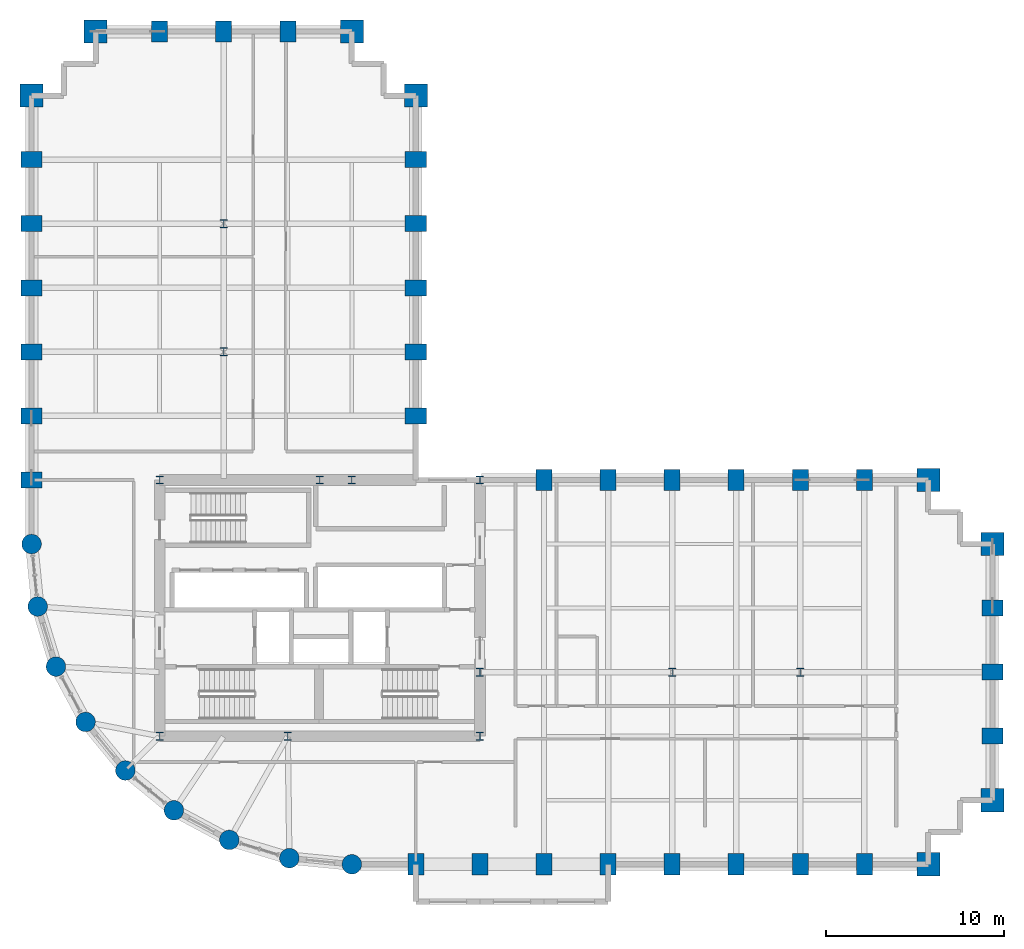
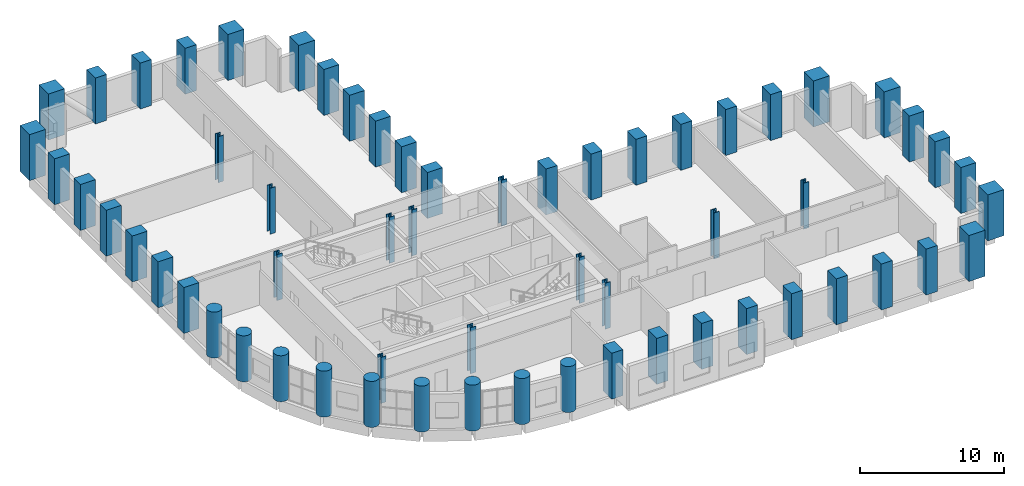
# One storey, part 1 of 12: 60 columns.
"""IFC4 building model written with IfcOpenShell, lengths in metres."""

import ifcopenshell
import ifcopenshell.guid

model = None  # the IFC model being written
_history = None  # IfcOwnerHistory: only IFC2X3 demands one
_inside = {}  # id of a spatial element -> (the spatial element, [elements in it])
_under = {}  # id of a project, library or spatial element -> (it, [spatial elements below it])
_declared = {}  # id of a project -> (the project, [libraries it declares])
_typed = {}  # id of a type object -> (the type object, [elements of that type])
_made_of = {}  # id of a material, layer set ... -> (it, [elements and type objects made of it])


def new_model(schema):
    """Start an empty IFC model of exactly this schema.

    Asked for "IFC4X3", IfcOpenShell would pick the latest addendum, in which some entities
    have other attributes; the version numbers below select the first issue.
    IFC2X3 requires an IfcOwnerHistory on every rooted entity: one is made here for all.
    """
    global model, _history
    if schema == "IFC4X3":
        model = ifcopenshell.file(schema_version=(4, 3, 0, 0))
    else:
        model = ifcopenshell.file(schema=schema)
    _inside.clear()
    _under.clear()
    _declared.clear()
    _typed.clear()
    _made_of.clear()
    _history = None
    if model.schema == "IFC2X3":
        org = make("IfcOrganization", Name="unknown")
        user = make(
            "IfcPersonAndOrganization",
            ThePerson=make("IfcPerson", FamilyName="unknown"),
            TheOrganization=org,
        )
        app = make(
            "IfcApplication",
            ApplicationDeveloper=org,
            Version="unknown",
            ApplicationFullName="unknown",
            ApplicationIdentifier="unknown",
        )
        _history = make(
            "IfcOwnerHistory",
            OwningUser=user,
            OwningApplication=app,
            ChangeAction="ADDED",
            CreationDate=0,
        )
    return model


def make(cls, **values):
    """One entity of the class cls with the attributes given. An attribute that is None is left unset."""
    return model.create_entity(
        cls, **{name: value for name, value in values.items() if value is not None}
    )


def rooted(cls, **values):
    """An entity with a GlobalId (a new one), such as an element, a storey or a relation."""
    return make(cls, GlobalId=ifcopenshell.guid.new(), OwnerHistory=_history, **values)


def si_unit(unit_type, name, prefix=None):
    """IfcSIUnit, for example si_unit("LENGTHUNIT", "METRE", prefix="MILLI")."""
    return make("IfcSIUnit", UnitType=unit_type, Prefix=prefix, Name=name)


def assignment(units):
    """IfcUnitAssignment: the units of a project."""
    return None if units is None else make("IfcUnitAssignment", Units=units)


def point(xyz):
    """IfcCartesianPoint."""
    return None if xyz is None else make("IfcCartesianPoint", Coordinates=xyz)


def direction(xyz):
    """IfcDirection."""
    return None if xyz is None else make("IfcDirection", DirectionRatios=xyz)


def frame(location, z_axis=None, x_axis=None):
    """IfcAxis2Placement3D, a coordinate frame: its origin and axes. An axis left out is left unset."""
    return make(
        "IfcAxis2Placement3D",
        Location=point(location),
        Axis=direction(z_axis),
        RefDirection=direction(x_axis),
    )


def frame_2d(location, x_axis=None):
    """IfcAxis2Placement2D, a coordinate frame in the plane: its origin and x axis."""
    return make(
        "IfcAxis2Placement2D", Location=point(location), RefDirection=direction(x_axis)
    )


def origin():
    """The frame at (0, 0, 0) with its axes left unset."""
    return frame((0.0, 0.0, 0.0))


def origin_2d():
    """The frame at (0, 0) in the plane with its x axis left unset."""
    return frame_2d((0.0, 0.0))


def place(relative_to, where):
    """IfcLocalPlacement: puts the frame where relative to a parent placement (None: the world)."""
    return make(
        "IfcLocalPlacement", PlacementRelTo=relative_to, RelativePlacement=where
    )


def context(
    kind, dimensions, precision=None, world=None, true_north=None, identifier=None
):
    """IfcGeometricRepresentationContext, for example the 3D "Model" context."""
    return make(
        "IfcGeometricRepresentationContext",
        ContextIdentifier=identifier,
        ContextType=kind,
        CoordinateSpaceDimension=dimensions,
        Precision=precision,
        WorldCoordinateSystem=world,
        TrueNorth=true_north,
    )


def subcontext(parent, identifier, kind, view, scale=None):
    """IfcGeometricRepresentationSubContext, for example "Body" below "Model"."""
    return make(
        "IfcGeometricRepresentationSubContext",
        ContextIdentifier=identifier,
        ContextType=kind,
        ParentContext=parent,
        TargetScale=scale,
        TargetView=view,
    )


def project(units=None, contexts=None):
    """IfcProject with its units and contexts."""
    return rooted(
        "IfcProject",
        Name="project",
        RepresentationContexts=contexts,
        UnitsInContext=assignment(units),
    )


def spatial(cls, under=None, at=None, **own):
    """A site, building, storey or space (cls), placed at a placement, below another one or the project."""
    s = rooted(cls, ObjectPlacement=at, **own)
    if under is not None:
        _under.setdefault(under.id(), (under, []))[1].append(s)
    return s


def profile(cls, at=None, kind="AREA", **sizes):
    """A parametric profile (cls). Its sizes go by their IFC names, for example OverallWidth=200.0."""
    return make(cls, ProfileType=kind, Position=at, **sizes)


def rectangle(**sizes):
    """IfcRectangleProfileDef."""
    return profile("IfcRectangleProfileDef", **sizes)


def circle(**sizes):
    """IfcCircleProfileDef."""
    return profile("IfcCircleProfileDef", **sizes)


def i_section(**sizes):
    """IfcIShapeProfileDef."""
    return profile("IfcIShapeProfileDef", **sizes)


def extrude(swept, where, along, depth):
    """IfcExtrudedAreaSolid: the profile swept, set in the frame where, extruded along a direction by depth."""
    return make(
        "IfcExtrudedAreaSolid",
        SweptArea=swept,
        Position=where,
        ExtrudedDirection=direction(along),
        Depth=depth,
    )


def shape(context_of_items, identifier, shape_type, items):
    """IfcShapeRepresentation: the items that make up one representation, for example the "Body"."""
    return make(
        "IfcShapeRepresentation",
        ContextOfItems=context_of_items,
        RepresentationIdentifier=identifier,
        RepresentationType=shape_type,
        Items=items,
    )


def material(Name=None, Category=None):
    """IfcMaterial."""
    return make("IfcMaterial", Name=Name, Category=Category)


def material_profile(
    of_material, cross_section, Name=None, Category=None, Priority=None
):
    """IfcMaterialProfile: a cross section and its material."""
    return make(
        "IfcMaterialProfile",
        Name=Name,
        Material=of_material,
        Profile=cross_section,
        Priority=Priority,
        Category=Category,
    )


def profile_set(profiles, Name=None, composite=None):
    """IfcMaterialProfileSet."""
    return make(
        "IfcMaterialProfileSet",
        Name=Name,
        MaterialProfiles=profiles,
        CompositeProfile=composite,
    )


def made_of(thing, what):
    """Note that an element or type object is made of a material, layer set ...; save() writes the relation."""
    if what is not None:
        _made_of.setdefault(what.id(), (what, []))[1].append(thing)
    return thing


def type_object(cls, material=None, **own):
    """A type object (cls), such as IfcWallType, which elements share."""
    return made_of(rooted(cls, **own), material)


def element(
    cls,
    number,
    at=None,
    inside=None,
    cuts=None,
    type_object=None,
    material=None,
    context=None,
    identifier="Body",
    shape_type=None,
    held_by="IfcProductDefinitionShape",
    body=None,
    shapes=None,
    **own,
):
    """One element of the class cls, such as IfcWall. Its Tag is "e" and its number.

    at: its placement. inside: the storey or other place that contains it. cuts: it is an
    opening in that element (IfcRelVoidsElement). A single representation is given by context,
    identifier, shape_type and body (its items); several are given by shapes. held_by: the class
    of the entity that holds the representations. save() writes the other relations.
    """
    e = rooted(cls, Tag="e%d" % number, ObjectPlacement=at, **own)
    if body is not None:
        shapes = [shape(context, identifier, shape_type, body)]
    if shapes is not None:
        e.Representation = make(held_by, Representations=shapes)
    if inside is not None:
        _inside.setdefault(inside.id(), (inside, []))[1].append(e)
    if cuts is not None:
        rooted(
            "IfcRelVoidsElement", RelatingBuildingElement=cuts, RelatedOpeningElement=e
        )
    if type_object is not None:
        _typed.setdefault(type_object.id(), (type_object, []))[1].append(e)
    return made_of(e, material)


def aggregate(whole, parts):
    """IfcRelAggregates: a whole, such as a stair, and the parts it consists of."""
    return rooted("IfcRelAggregates", RelatingObject=whole, RelatedObjects=parts)


def save(model, path):
    """Write the relations noted so far, then the file.

    IfcRelAggregates (storeys below a building ...), IfcRelContainedInSpatialStructure (elements
    in a storey), IfcRelDefinesByType, IfcRelAssociatesMaterial and IfcRelDeclares: one each for
    every whole, place, type object, material and project.
    """
    for whole, parts in _under.values():
        aggregate(whole, parts)
    for where, things in _inside.values():
        rooted(
            "IfcRelContainedInSpatialStructure",
            RelatedElements=things,
            RelatingStructure=where,
        )
    for kind, things in _typed.values():
        rooted("IfcRelDefinesByType", RelatedObjects=things, RelatingType=kind)
    for what, things in _made_of.values():
        rooted("IfcRelAssociatesMaterial", RelatedObjects=things, RelatingMaterial=what)
    for by, libraries in _declared.values():
        rooted("IfcRelDeclares", RelatingContext=by, RelatedDefinitions=libraries)
    model.write(path)


model = new_model("IFC4")

# Units and contexts
model_context = context("Model", 3, precision=1e-05, world=origin(), true_north=direction((0.0, 1.0)))
body_context = subcontext(model_context, "Body", "Model", "MODEL_VIEW")
ifc_project = project(units=[si_unit("LENGTHUNIT", "METRE"), si_unit("AREAUNIT", "SQUARE_METRE"), si_unit("VOLUMEUNIT", "CUBIC_METRE"), si_unit("PLANEANGLEUNIT", "RADIAN"), si_unit("MASSUNIT", "GRAM", prefix="KILO")], contexts=[model_context])

# Site, building, storey
site_placement = place(None, origin())
site = spatial("IfcSite", under=ifc_project, at=site_placement, CompositionType="ELEMENT")
building_placement = place(site_placement, origin())
building = spatial("IfcBuilding", under=site, at=building_placement, Name="Solnavia Interchange Tower", CompositionType="ELEMENT")
storey_placement = place(building_placement, frame((0.0, 0.0, 27.89990234375)))
storey = spatial("IfcBuildingStorey", under=building, at=storey_placement, Name="L06", CompositionType="ELEMENT", Elevation=27.89990234375)

# Columns
ifc_material_1 = material(Name="Concrete C60/75", Category="concrete")
ifc_material_profile_1 = material_profile(ifc_material_1, rectangle(XDim=0.89990234375, YDim=1.199951171875, at=origin_2d()), Name="RC 1200x900")
ifc_profile_set_1 = profile_set([ifc_material_profile_1], Name="Concrete C60/75")
column_type_1 = type_object("IfcColumnType", Name="Col-RC-1200x900", PredefinedType="COLUMN", material=ifc_profile_set_1)
for number, where, z_axis, x_axis, name in (
    (1, (7.199951171875, 25.199951171875, 0.0), (0.0, 0.0, 1.0), (0.0, 1.0, 0.0), "COL-L06-02 Tower perim y column"),
    (2, (7.199951171875, 28.800048828125, 0.0), (0.0, 0.0, 1.0), (0.0, 1.0, 0.0), "COL-L06-03 Tower perim y column"),
    (3, (7.199951171875, 32.39990234375, 0.0), (0.0, 0.0, 1.0), (0.0, 1.0, 0.0), "COL-L06-04 Tower perim y column"),
    (4, (7.199951171875, 36.0, 0.0), (0.0, 0.0, 1.0), (0.0, 1.0, 0.0), "COL-L06-05 Tower perim y column"),
    (5, (7.199951171875, 39.60009765625, 0.0), (0.0, 0.0, 1.0), (0.0, 1.0, 0.0), "COL-L06-06 Tower perim y column"),
    (6, (7.199951171875, 43.199951171875, 0.0), (0.0, 0.0, 1.0), (0.0, 1.0, 0.0), "COL-L06-07 Tower perim y column"),
    (7, (14.39990234375, 50.39990234375, 0.0), (0.0, 0.0, 1.0), (1.0, 0.0, 0.0), "COL-L06-16 Tower perim x column"),
    (8, (18.0, 50.39990234375, 0.0), (0.0, 0.0, 1.0), (1.0, 0.0, 0.0), "COL-L06-20 Tower perim x column"),
    (9, (21.60009765625, 50.39990234375, 0.0), (0.0, 0.0, 1.0), (1.0, 0.0, 0.0), "COL-L06-23 Tower perim x column"),
    (10, (28.800048828125, 3.60009765625, 0.0), (0.0, 0.0, 1.0), (1.0, 0.0, 0.0), "COL-L06-29 Tower perim x column"),
    (11, (28.800048828125, 28.800048828125, 0.0), (0.0, 0.0, 1.0), (0.0, 1.0, 0.0), "COL-L06-30 Tower perim y column"),
    (12, (28.800048828125, 32.39990234375, 0.0), (0.0, 0.0, 1.0), (0.0, 1.0, 0.0), "COL-L06-31 Tower perim y column"),
    (13, (28.800048828125, 36.0, 0.0), (0.0, 0.0, 1.0), (0.0, 1.0, 0.0), "COL-L06-32 Tower perim y column"),
    (14, (28.800048828125, 39.60009765625, 0.0), (0.0, 0.0, 1.0), (0.0, 1.0, 0.0), "COL-L06-33 Tower perim y column"),
    (15, (28.800048828125, 43.199951171875, 0.0), (0.0, 0.0, 1.0), (0.0, 1.0, 0.0), "COL-L06-34 Tower perim y column"),
    (16, (32.39990234375, 3.60009765625, 0.0), (0.0, 0.0, 1.0), (1.0, 0.0, 0.0), "COL-L06-36 Tower perim x column"),
    (17, (36.0, 3.60009765625, 0.0), (0.0, 0.0, 1.0), (1.0, 0.0, 0.0), "COL-L06-40 Tower perim x column"),
    (18, (36.0, 25.199951171875, 0.0), (0.0, 0.0, 1.0), (1.0, 0.0, 0.0), "COL-L06-41 Tower perim x column"),
    (19, (39.60009765625, 3.60009765625, 0.0), (0.0, 0.0, 1.0), (1.0, 0.0, 0.0), "COL-L06-42 Tower perim x column"),
    (20, (39.60009765625, 25.199951171875, 0.0), (0.0, 0.0, 1.0), (1.0, 0.0, 0.0), "COL-L06-43 Tower perim x column"),
    (21, (43.199951171875, 3.60009765625, 0.0), (0.0, 0.0, 1.0), (1.0, 0.0, 0.0), "COL-L06-44 Tower perim x column"),
    (22, (43.199951171875, 25.199951171875, 0.0), (0.0, 0.0, 1.0), (1.0, 0.0, 0.0), "COL-L06-46 Tower perim x column"),
    (23, (46.800048828125, 3.60009765625, 0.0), (0.0, 0.0, 1.0), (1.0, 0.0, 0.0), "COL-L06-47 Tower perim x column"),
    (24, (46.800048828125, 25.199951171875, 0.0), (0.0, 0.0, 1.0), (1.0, 0.0, 0.0), "COL-L06-48 Tower perim x column"),
    (25, (50.39990234375, 3.60009765625, 0.0), (0.0, 0.0, 1.0), (1.0, 0.0, 0.0), "COL-L06-49 Tower perim x column"),
    (26, (50.39990234375, 25.199951171875, 0.0), (0.0, 0.0, 1.0), (1.0, 0.0, 0.0), "COL-L06-51 Tower perim x column"),
    (27, (54.0, 3.60009765625, 0.0), (0.0, 0.0, 1.0), (1.0, 0.0, 0.0), "COL-L06-52 Tower perim x column"),
    (28, (54.0, 25.199951171875, 0.0), (0.0, 0.0, 1.0), (1.0, 0.0, 0.0), "COL-L06-53 Tower perim x column"),
    (29, (61.199951171875, 10.800048828125, 0.0), (0.0, 0.0, 1.0), (0.0, 1.0, 0.0), "COL-L06-57 Tower perim y column"),
    (30, (61.199951171875, 14.39990234375, 0.0), (0.0, 0.0, 1.0), (0.0, 1.0, 0.0), "COL-L06-58 Tower perim y column"),
    (31, (61.199951171875, 18.0, 0.0), (0.0, 0.0, 1.0), (0.0, 1.0, 0.0), "COL-L06-59 Tower perim y column"),
):
    element("IfcColumn", number, at=place(storey_placement, frame(where, z_axis=z_axis, x_axis=x_axis)), inside=storey, type_object=column_type_1, Name=name, PredefinedType="COLUMN", context=body_context, shape_type="SweptSolid", body=[
        extrude(rectangle(XDim=0.89990234375, YDim=1.199951171875, at=origin_2d()), origin(), (0.0, 0.0, 1.0), 3.900146484375),
    ])
ifc_material_profile_2 = material_profile(ifc_material_1, rectangle(XDim=1.300048828125, YDim=1.300048828125, at=origin_2d()), Name="RC 1300x1300")
ifc_profile_set_2 = profile_set([ifc_material_profile_2], Name="Concrete C60/75")
column_type_2 = type_object("IfcColumnType", Name="Col-RC-1300x1300", PredefinedType="COLUMN", material=ifc_profile_set_2)
for number, where, z_axis, x_axis, name in (
    (32, (7.199951171875, 46.800048828125, 0.0), (0.0, 0.0, 1.0), (0.0, 1.0, 0.0), "COL-L06-08 Tower corner column"),
    (33, (10.800048828125, 50.39990234375, 0.0), (0.0, 0.0, 1.0), (1.0, 0.0, 0.0), "COL-L06-12 Tower corner column"),
    (34, (25.199951171875, 50.39990234375, 0.0), (0.0, 0.0, 1.0), (1.0, 0.0, 0.0), "COL-L06-28 Tower corner column"),
    (35, (28.800048828125, 46.800048828125, 0.0), (0.0, 0.0, 1.0), (0.0, 1.0, 0.0), "COL-L06-35 Tower corner column"),
    (36, (57.60009765625, 3.60009765625, 0.0), (0.0, 0.0, 1.0), (1.0, 0.0, 0.0), "COL-L06-54 Tower corner column"),
    (37, (57.60009765625, 25.199951171875, 0.0), (0.0, 0.0, 1.0), (1.0, 0.0, 0.0), "COL-L06-55 Tower corner column"),
    (38, (61.199951171875, 7.199951171875, 0.0), (0.0, 0.0, 1.0), (1.0, 0.0, 0.0), "COL-L06-56 Tower corner column"),
    (39, (61.199951171875, 21.60009765625, 0.0), (0.0, 0.0, 1.0), (0.0, 1.0, 0.0), "COL-L06-60 Tower corner column"),
):
    element("IfcColumn", number, at=place(storey_placement, frame(where, z_axis=z_axis, x_axis=x_axis)), inside=storey, type_object=column_type_2, Name=name, PredefinedType="COLUMN", context=body_context, shape_type="SweptSolid", body=[
        extrude(rectangle(XDim=1.300048828125, YDim=1.300048828125, at=origin_2d()), origin(), (0.0, 0.0, 1.0), 3.900146484375),
    ])
ifc_material_profile_3 = material_profile(ifc_material_1, circle(Radius=0.550048828125, at=origin_2d()), Name="RC D1100")
ifc_profile_set_3 = profile_set([ifc_material_profile_3], Name="Concrete C60/75")
column_type_3 = type_object("IfcColumnType", Name="Col-RC-D1100", PredefinedType="COLUMN", material=ifc_profile_set_3)
for number, where, z_axis, x_axis, name in (
    (40, (7.199951171875, 21.60009765625, 0.0), (0.0, 0.0, 1.0), (1.0, 0.0, 0.0), "COL-L06-01 Tower drum column"),
    (41, (7.5458984375, 18.087890625, 0.0), (0.0, 0.0, 1.0), (1.0, 0.0, 0.0), "COL-L06-09 Tower drum column"),
    (42, (8.570068359375, 14.7119140625, 0.0), (0.0, 0.0, 1.0), (1.0, 0.0, 0.0), "COL-L06-10 Tower drum column"),
    (43, (10.23388671875, 11.60009765625, 0.0), (0.0, 0.0, 1.0), (1.0, 0.0, 0.0), "COL-L06-11 Tower drum column"),
    (44, (12.471923828125, 8.8720703125, 0.0), (0.0, 0.0, 1.0), (1.0, 0.0, 0.0), "COL-L06-13 Tower drum column"),
    (45, (15.199951171875, 6.634033203125, 0.0), (0.0, 0.0, 1.0), (1.0, 0.0, 0.0), "COL-L06-17 Tower drum column"),
    (46, (18.31201171875, 4.969970703125, 0.0), (0.0, 0.0, 1.0), (1.0, 0.0, 0.0), "COL-L06-21 Tower drum column"),
    (47, (21.68798828125, 3.946044921875, 0.0), (0.0, 0.0, 1.0), (1.0, 0.0, 0.0), "COL-L06-24 Tower drum column"),
    (48, (25.199951171875, 3.60009765625, 0.0), (0.0, 0.0, 1.0), (1.0, 0.0, 0.0), "COL-L06-26 Tower drum column"),
):
    element("IfcColumn", number, at=place(storey_placement, frame(where, z_axis=z_axis, x_axis=x_axis)), inside=storey, type_object=column_type_3, Name=name, PredefinedType="COLUMN", context=body_context, shape_type="SweptSolid", body=[
        extrude(circle(Radius=0.550048828125, at=origin_2d()), origin(), (0.0, 0.0, 1.0), 3.900146484375),
    ])
ifc_material_2 = material(Name="Steel S355", Category="steel")
ifc_material_profile_4 = material_profile(ifc_material_2, i_section(OverallWidth=0.424072265625, OverallDepth=0.467041015625, WebThickness=0.032958984375, FlangeThickness=0.053466796875, FilletRadius=0.014892578125, at=origin_2d()), Name="HD 400x509")
ifc_profile_set_4 = profile_set([ifc_material_profile_4], Name="Steel S355")
column_type_4 = type_object("IfcColumnType", Name="Col-Steel-HD400x509", PredefinedType="COLUMN", material=ifc_profile_set_4)
for number, where, z_axis, x_axis, name in (
    (49, (14.39990234375, 10.800048828125, 0.0), (0.0, 0.0, 1.0), (1.0, 0.0, 0.0), "COL-L06-14 Tower interior column"),
    (50, (14.39990234375, 25.199951171875, 0.0), (0.0, 0.0, 1.0), (1.0, 0.0, 0.0), "COL-L06-15 Tower interior column"),
    (51, (18.0, 32.39990234375, 0.0), (0.0, 0.0, 1.0), (1.0, 0.0, 0.0), "COL-L06-18 Tower interior column"),
    (52, (18.0, 39.60009765625, 0.0), (0.0, 0.0, 1.0), (1.0, 0.0, 0.0), "COL-L06-19 Tower interior column"),
    (53, (21.60009765625, 10.800048828125, 0.0), (0.0, 0.0, 1.0), (1.0, 0.0, 0.0), "COL-L06-22 Tower interior column"),
    (54, (23.39990234375, 25.199951171875, 0.0), (0.0, 0.0, 1.0), (1.0, 0.0, 0.0), "COL-L06-25 Tower interior column"),
    (55, (25.199951171875, 25.199951171875, 0.0), (0.0, 0.0, 1.0), (1.0, 0.0, 0.0), "COL-L06-27 Tower interior column"),
    (56, (32.39990234375, 10.800048828125, 0.0), (0.0, 0.0, 1.0), (1.0, 0.0, 0.0), "COL-L06-37 Tower interior column"),
    (57, (32.39990234375, 14.39990234375, 0.0), (0.0, 0.0, 1.0), (1.0, 0.0, 0.0), "COL-L06-38 Tower interior column"),
    (58, (32.39990234375, 25.199951171875, 0.0), (0.0, 0.0, 1.0), (1.0, 0.0, 0.0), "COL-L06-39 Tower interior column"),
    (59, (43.199951171875, 14.39990234375, 0.0), (0.0, 0.0, 1.0), (1.0, 0.0, 0.0), "COL-L06-45 Tower interior column"),
    (60, (50.39990234375, 14.39990234375, 0.0), (0.0, 0.0, 1.0), (1.0, 0.0, 0.0), "COL-L06-50 Tower interior column"),
):
    element("IfcColumn", number, at=place(storey_placement, frame(where, z_axis=z_axis, x_axis=x_axis)), inside=storey, type_object=column_type_4, Name=name, PredefinedType="COLUMN", context=body_context, shape_type="SweptSolid", body=[
        extrude(i_section(OverallWidth=0.424072265625, OverallDepth=0.467041015625, WebThickness=0.032958984375, FlangeThickness=0.053466796875, FilletRadius=0.014892578125, at=origin_2d()), origin(), (0.0, 0.0, 1.0), 3.900146484375),
    ])

save(model, "model.ifc")
